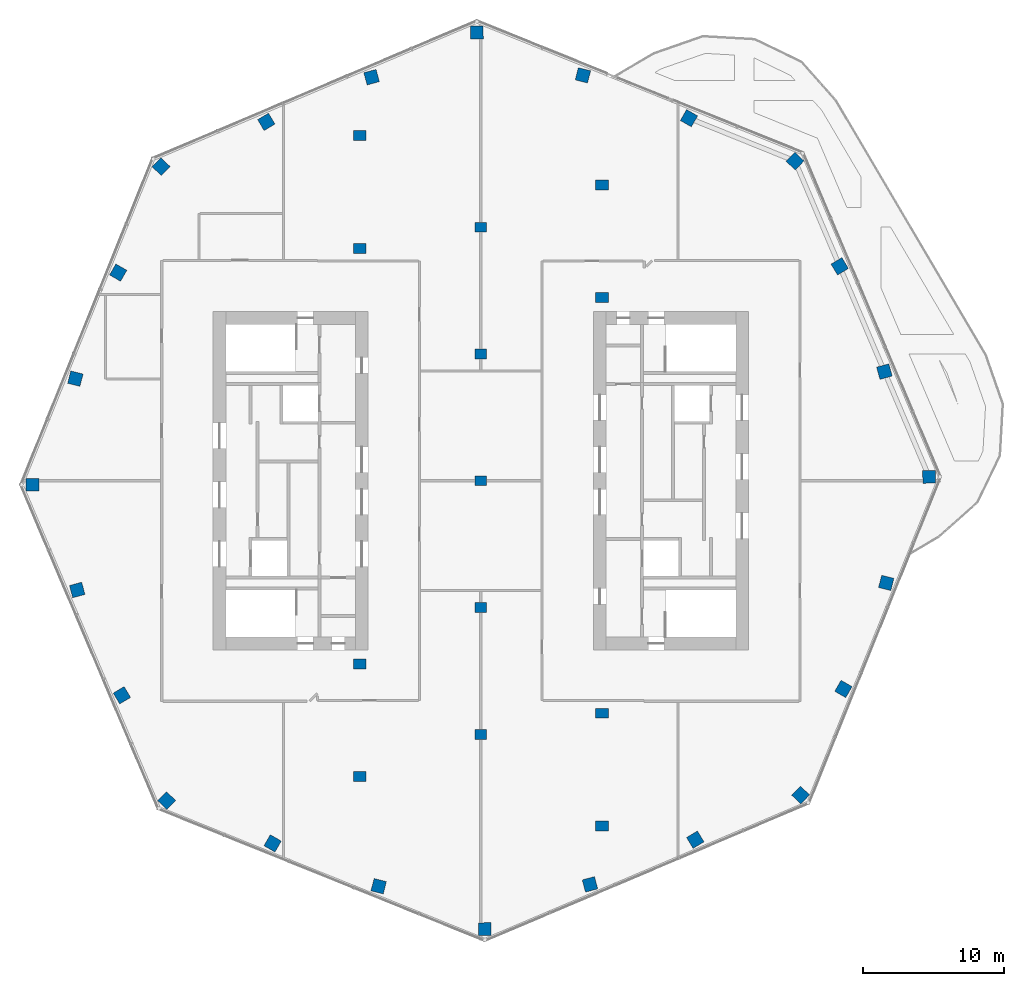
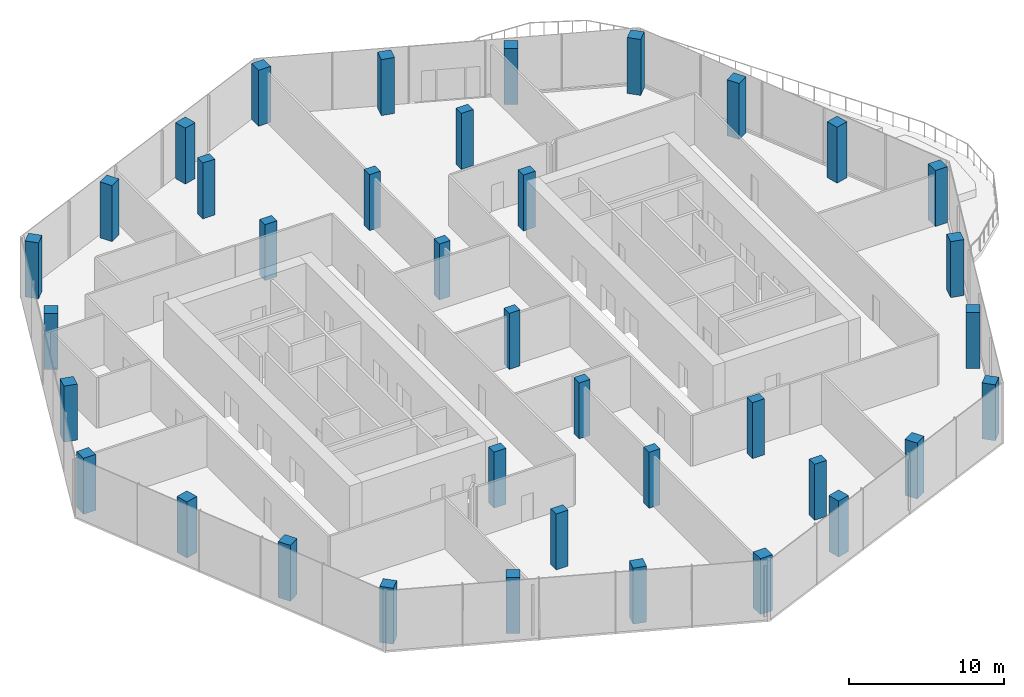
# One storey, part 1 of 15: 37 columns.
"""IFC4 building model written with IfcOpenShell, lengths in metres."""

from ifc_helpers import new_model, si_unit, direction, frame, origin, origin_2d, place, context, subcontext, project, spatial, rectangle, extrude, material, material_profile, profile_set, type_object, element, save


model = new_model("IFC4")

# Units and contexts
model_context = context("Model", 3, precision=1e-05, world=origin(), true_north=direction((0.0, 1.0)))
body_context = subcontext(model_context, "Body", "Model", "MODEL_VIEW")
ifc_project = project(units=[si_unit("LENGTHUNIT", "METRE"), si_unit("AREAUNIT", "SQUARE_METRE"), si_unit("VOLUMEUNIT", "CUBIC_METRE"), si_unit("PLANEANGLEUNIT", "RADIAN"), si_unit("MASSUNIT", "GRAM", prefix="KILO")], contexts=[model_context])

# Site, building, storey
site_placement = place(None, origin())
site = spatial("IfcSite", under=ifc_project, at=site_placement, CompositionType="ELEMENT")
building_placement = place(site_placement, origin())
building = spatial("IfcBuilding", under=site, at=building_placement, Name="Orlundy Tower", CompositionType="ELEMENT")
storey_placement = place(building_placement, frame((0.0, 0.0, 299.89990234375)))
storey = spatial("IfcBuildingStorey", under=building, at=storey_placement, Name="L80", CompositionType="ELEMENT", Elevation=299.89990234375)

# Columns
ifc_material_1 = material(Name="Concrete C50/60", Category="concrete")
ifc_material_profile_1 = material_profile(ifc_material_1, rectangle(XDim=0.800048828125, YDim=0.699951171875, at=origin_2d()), Name="RC800X700")
ifc_profile_set_1 = profile_set([ifc_material_profile_1], Name="Concrete C50/60")
column_type_1 = type_object("IfcColumnType", Name="RC COLUMN RC800X700 C50/60", PredefinedType="COLUMN", material=ifc_profile_set_1)
for number, where, z_axis, x_axis, name in (
    (1, (0.0, -18.0, 0.0), (0.0, 0.0, 1.0), (1.0, 0.0, 0.0), "Column C-M1 L80"),
    (2, (0.0, -9.0, 0.0), (0.0, 0.0, 1.0), (1.0, 0.0, 0.0), "Column C-M2 L80"),
    (3, (0.0, 0.0, 0.0), (0.0, 0.0, 1.0), (1.0, 0.0, 0.0), "Column C-M3 L80"),
    (4, (0.0, 9.0, 0.0), (0.0, 0.0, 1.0), (1.0, 0.0, 0.0), "Column C-M4 L80"),
    (5, (0.0, 18.0, 0.0), (0.0, 0.0, 1.0), (1.0, 0.0, 0.0), "Column C-M5 L80"),
):
    element("IfcColumn", number, at=place(storey_placement, frame(where, z_axis=z_axis, x_axis=x_axis)), inside=storey, type_object=column_type_1, Name=name, PredefinedType="COLUMN", context=body_context, shape_type="SweptSolid", body=[
        extrude(rectangle(XDim=0.800048828125, YDim=0.699951171875, at=origin_2d()), origin(), (0.0, 0.0, 1.0), 4.400146484375),
    ])
ifc_material_2 = material(Name="Concrete C50/60", Category="concrete")
ifc_material_profile_2 = material_profile(ifc_material_2, rectangle(XDim=0.89990234375, YDim=0.699951171875, at=origin_2d()), Name="RC900X700")
ifc_profile_set_2 = profile_set([ifc_material_profile_2], Name="Concrete C50/60")
column_type_2 = type_object("IfcColumnType", Name="RC COLUMN RC900X700 C50/60", PredefinedType="COLUMN", material=ifc_profile_set_2)
for number, where, z_axis, x_axis, name in (
    (6, (8.60009765625, -24.5, 0.0), (0.0, 0.0, 1.0), (1.0, 0.0, 0.0), "Column C-SE2 L80"),
    (7, (8.60009765625, -16.5, 0.0), (0.0, 0.0, 1.0), (1.0, 0.0, 0.0), "Column C-SE3 L80"),
    (8, (8.60009765625, 13.0, 0.0), (0.0, 0.0, 1.0), (1.0, 0.0, 0.0), "Column C-SE4 L80"),
    (9, (8.60009765625, 21.0, 0.0), (0.0, 0.0, 1.0), (1.0, 0.0, 0.0), "Column C-SE5 L80"),
    (10, (-8.60009765625, 24.5, 0.0), (0.0, 0.0, 1.0), (1.0, 0.0, 0.0), "Column C-SW1 L80"),
    (11, (-8.60009765625, 16.5, 0.0), (0.0, 0.0, 1.0), (1.0, 0.0, 0.0), "Column C-SW2 L80"),
    (12, (-8.60009765625, -13.0, 0.0), (0.0, 0.0, 1.0), (1.0, 0.0, 0.0), "Column C-SW3 L80"),
    (13, (-8.60009765625, -21.0, 0.0), (0.0, 0.0, 1.0), (1.0, 0.0, 0.0), "Column C-SW4 L80"),
):
    element("IfcColumn", number, at=place(storey_placement, frame(where, z_axis=z_axis, x_axis=x_axis)), inside=storey, type_object=column_type_2, Name=name, PredefinedType="COLUMN", context=body_context, shape_type="SweptSolid", body=[
        extrude(rectangle(XDim=0.89990234375, YDim=0.699951171875, at=origin_2d()), origin(), (0.0, 0.0, 1.0), 4.400146484375),
    ])
ifc_material_3 = material(Name="Concrete C50/60", Category="concrete")
ifc_material_profile_3 = material_profile(ifc_material_3, rectangle(XDim=0.89990234375, YDim=0.89990234375, at=origin_2d()), Name="RC900X900")
ifc_profile_set_3 = profile_set([ifc_material_profile_3], Name="Concrete C50/60")
column_type_3 = type_object("IfcColumnType", Name="RC COLUMN RC900X900 C50/60", PredefinedType="COLUMN", material=ifc_profile_set_3)
for number, where, z_axis, x_axis, name in (
    (14, (-0.278076171875, 31.821044921875, 0.0), (0.0, 0.0, 1.0), (-0.008743988125, 0.999961770605, 0.0), "Column C-H01 L80"),
    (15, (7.25, 28.780029296875, 0.0), (0.0, 0.0, 1.0), (0.244275126238, 0.969705967137, 0.0), "Column C-H02 L80"),
    (16, (14.777099609375, 25.739013671875, 0.0), (0.0, 0.0, 1.0), (0.49789754642, 0.867235857924, 0.0), "Column C-H03 L80"),
    (17, (22.304931640625, 22.697021484375, 0.0), (0.0, 0.0, 1.0), (0.700921712762, 0.713238215871, 0.0), "Column C-H04 L80"),
    (18, (25.47705078125, 15.22412109375, 0.0), (0.0, 0.0, 1.0), (0.858414263358, 0.512957066881, 0.0), "Column C-H05 L80"),
    (19, (28.64892578125, 7.7509765625, 0.0), (0.0, 0.0, 1.0), (0.965295087436, 0.261161624617, 0.0), "Column C-H06 L80"),
    (20, (31.821044921875, 0.278076171875, 0.0), (0.0, 0.0, 1.0), (0.999961770605, 0.008743988125, 0.0), "Column C-H07 L80"),
    (21, (28.780029296875, -7.25, 0.0), (0.0, 0.0, 1.0), (0.969705967137, -0.244275126238, 0.0), "Column C-H08 L80"),
    (22, (25.739013671875, -14.777099609375, 0.0), (0.0, 0.0, 1.0), (0.867235857924, -0.49789754642, 0.0), "Column C-H09 L80"),
    (23, (22.697021484375, -22.304931640625, 0.0), (0.0, 0.0, 1.0), (0.713238215871, -0.700921712762, 0.0), "Column C-H10 L80"),
    (24, (15.22412109375, -25.47705078125, 0.0), (0.0, 0.0, 1.0), (0.512957066881, -0.858414263358, 0.0), "Column C-H11 L80"),
    (25, (7.7509765625, -28.64892578125, 0.0), (0.0, 0.0, 1.0), (0.261161624617, -0.965295087436, 0.0), "Column C-H12 L80"),
    (26, (0.278076171875, -31.821044921875, 0.0), (0.0, 0.0, 1.0), (0.008743988125, -0.999961770605, 0.0), "Column C-H13 L80"),
    (27, (-7.25, -28.780029296875, 0.0), (0.0, 0.0, 1.0), (-0.244275126238, -0.969705967137, 0.0), "Column C-H14 L80"),
    (28, (-14.777099609375, -25.739013671875, 0.0), (0.0, 0.0, 1.0), (-0.49789754642, -0.867235857924, 0.0), "Column C-H15 L80"),
    (29, (-22.304931640625, -22.697021484375, 0.0), (0.0, 0.0, 1.0), (-0.700921712762, -0.713238215871, 0.0), "Column C-H16 L80"),
    (30, (-25.47705078125, -15.22412109375, 0.0), (0.0, 0.0, 1.0), (-0.858414263358, -0.512957066881, 0.0), "Column C-H17 L80"),
    (31, (-28.64892578125, -7.7509765625, 0.0), (0.0, 0.0, 1.0), (-0.965295087436, -0.261161624617, 0.0), "Column C-H18 L80"),
    (32, (-31.821044921875, -0.278076171875, 0.0), (0.0, 0.0, 1.0), (-0.999961770605, -0.008743988125, 0.0), "Column C-H19 L80"),
    (33, (-28.780029296875, 7.25, 0.0), (0.0, 0.0, 1.0), (-0.969705967137, 0.244275126238, 0.0), "Column C-H20 L80"),
    (34, (-25.739013671875, 14.777099609375, 0.0), (0.0, 0.0, 1.0), (-0.867235857924, 0.49789754642, 0.0), "Column C-H21 L80"),
    (35, (-22.697021484375, 22.304931640625, 0.0), (0.0, 0.0, 1.0), (-0.713238215871, 0.700921712762, 0.0), "Column C-H22 L80"),
    (36, (-15.22412109375, 25.47705078125, 0.0), (0.0, 0.0, 1.0), (-0.512957066881, 0.858414263358, 0.0), "Column C-H23 L80"),
    (37, (-7.7509765625, 28.64892578125, 0.0), (0.0, 0.0, 1.0), (-0.261161624617, 0.965295087436, 0.0), "Column C-H24 L80"),
):
    element("IfcColumn", number, at=place(storey_placement, frame(where, z_axis=z_axis, x_axis=x_axis)), inside=storey, type_object=column_type_3, Name=name, PredefinedType="COLUMN", context=body_context, shape_type="SweptSolid", body=[
        extrude(rectangle(XDim=0.89990234375, YDim=0.89990234375, at=origin_2d()), origin(), (0.0, 0.0, 1.0), 4.400146484375),
    ])

save(model, "model.ifc")
